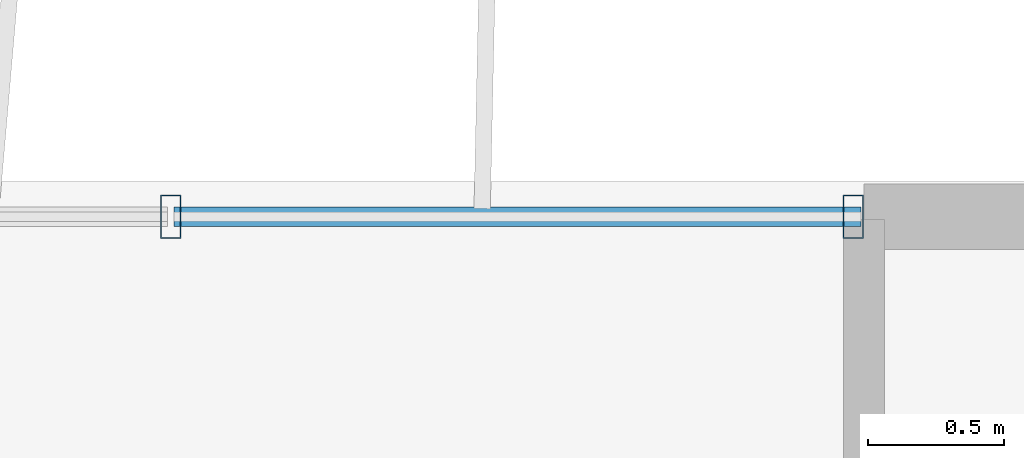
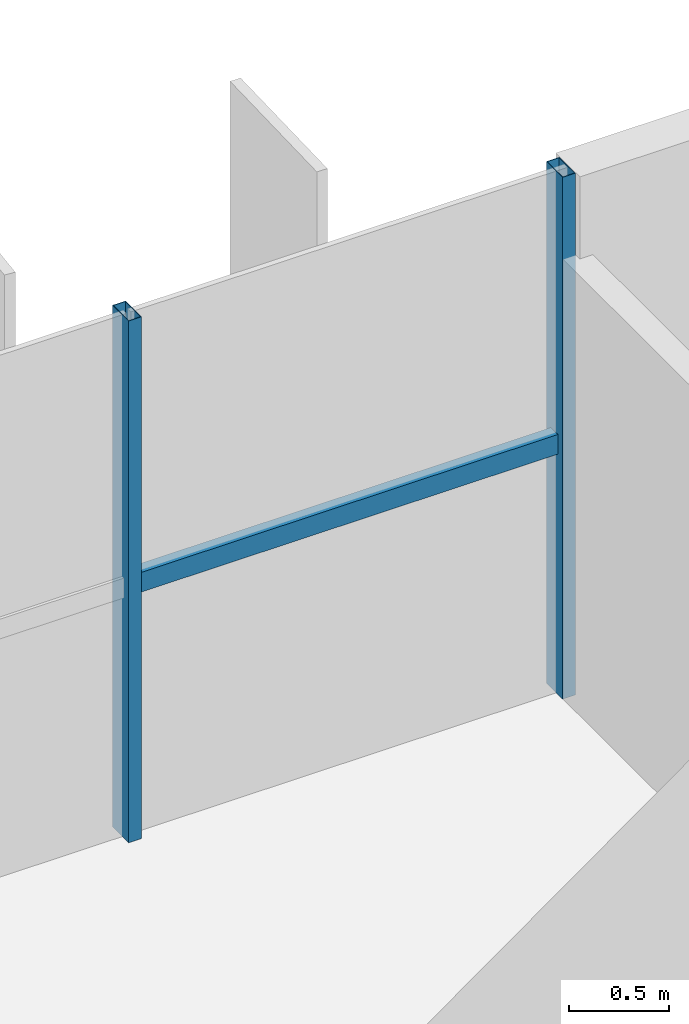
# One storey, part 18 of 26: 3 members, 1 element without a shape of its own.
"""IFC4 building model written with IfcOpenShell, lengths in metres."""

from ifc_helpers import new_model, si_unit, direction, frame, origin, origin_2d, place, context, subcontext, project, spatial, hollow_rectangle, extrude, source, transform, mapped, material, material_profile, profile_set, type_object, element, aggregate, save


model = new_model("IFC4")

# Units and contexts
model_context = context("Model", 3, precision=1e-05, world=origin(), true_north=direction((0.0, 1.0)))
body_context = subcontext(model_context, "Body", "Model", "MODEL_VIEW")
ifc_project = project(units=[si_unit("LENGTHUNIT", "METRE"), si_unit("AREAUNIT", "SQUARE_METRE"), si_unit("VOLUMEUNIT", "CUBIC_METRE"), si_unit("PLANEANGLEUNIT", "RADIAN"), si_unit("MASSUNIT", "GRAM", prefix="KILO")], contexts=[model_context])

# Site, building, storey
site_placement = place(None, origin())
site = spatial("IfcSite", under=ifc_project, at=site_placement, CompositionType="ELEMENT")
building_placement = place(site_placement, origin())
building = spatial("IfcBuilding", under=site, at=building_placement, Name="Trelvane Seafront Commons", CompositionType="ELEMENT")
storey_placement = place(building_placement, frame((0.0, 0.0, 291.89990234375)))
storey = spatial("IfcBuildingStorey", under=building, at=storey_placement, Name="L76", CompositionType="ELEMENT", Elevation=291.89990234375)

# Curtain wall, members
ifc_material = material(Name="Anodised pale-silver aluminium", Category="aluminium")
curtain_wall_type = type_object("IfcCurtainWallType", Name="ARCH-CW5-UPTOWER", PredefinedType="NOTDEFINED", material=ifc_material)
curtain_wall_placement = place(storey_placement, origin())
curtain_wall = element("IfcCurtainWall", 1, at=curtain_wall_placement, inside=storey, type_object=curtain_wall_type, Name="CW-L76-0120", PredefinedType="NOTDEFINED")
ifc_material_profile_1 = material_profile(ifc_material, hollow_rectangle(XDim=0.070068359375, YDim=0.1201171875, WallThickness=0.00390625, at=origin_2d()), Name="TRAN-70x120x4")
ifc_profile_set_1 = profile_set([ifc_material_profile_1], Name="Anodised pale-silver aluminium")
member_type_1 = type_object("IfcMemberType", Name="ARCH-CW-TRAN-120", PredefinedType="USERDEFINED", material=ifc_profile_set_1)
shared_shape_1 = source(origin(), body_context, "Body", "SweptSolid", [
    extrude(hollow_rectangle(XDim=0.070068359375, YDim=0.1201171875, WallThickness=0.00390625, at=origin_2d()), origin(), (0.0, 0.0, 1.0), 2.517333984375),
])
member_1_placement = place(storey_placement, frame((56.270751953125, 48.3701171875, 1.526123046875), z_axis=(1.0, 0.0, 0.0), x_axis=(0.0, 1.0, 0.0)))
member_1 = element("IfcMember", 2, at=member_1_placement, type_object=member_type_1, Name="CW-L76-0120-T16", ObjectType="TRANSOM", PredefinedType="USERDEFINED", context=body_context, shape_type="MappedRepresentation", body=[
    mapped(shared_shape_1, transform((0.0, 0.0, 0.0), x_axis=(1.0, 0.0, 0.0), y_axis=(0.0, 1.0, 0.0), z_axis=(0.0, 0.0, 1.0), scale=1.0)),
])
ifc_material_profile_2 = material_profile(ifc_material, hollow_rectangle(XDim=0.074951171875, YDim=0.159912109375, WallThickness=0.00390625, at=origin_2d()), Name="MULL-75x160x4")
ifc_profile_set_2 = profile_set([ifc_material_profile_2], Name="Anodised pale-silver aluminium")
member_type_2 = type_object("IfcMemberType", Name="ARCH-CW-MULL-160", PredefinedType="MULLION", material=ifc_profile_set_2)
shared_shape_2 = source(origin(), body_context, "Body", "SweptSolid", [
    extrude(hollow_rectangle(XDim=0.074951171875, YDim=0.159912109375, WallThickness=0.00390625, at=origin_2d()), origin(), (0.0, 0.0, 1.0), 3.18017578125),
])
member_2_placement = place(storey_placement, frame((56.2587890625, 48.3701171875, 0.0), z_axis=(0.0, 0.0, 1.0), x_axis=(1.0, 0.0, 0.0)))
member_2 = element("IfcMember", 3, at=member_2_placement, type_object=member_type_2, Name="CW-L76-0120-M16", PredefinedType="MULLION", context=body_context, shape_type="MappedRepresentation", body=[
    mapped(shared_shape_2, transform((0.0, 0.0, 0.0), x_axis=(1.0, 0.0, 0.0), y_axis=(0.0, 1.0, 0.0), z_axis=(0.0, 0.0, 1.0), scale=1.0)),
])
member_3_placement = place(storey_placement, frame((58.760009765625, 48.3701171875, 0.0), z_axis=(0.0, 0.0, 1.0), x_axis=(1.0, 0.0, 0.0)))
member_3 = element("IfcMember", 4, at=member_3_placement, type_object=member_type_2, Name="CW-L76-0120-M17", PredefinedType="MULLION", context=body_context, shape_type="MappedRepresentation", body=[
    mapped(shared_shape_2, transform((0.0, 0.0, 0.0), x_axis=(1.0, 0.0, 0.0), y_axis=(0.0, 1.0, 0.0), z_axis=(0.0, 0.0, 1.0), scale=1.0)),
])
aggregate(curtain_wall, [member_2, member_3, member_1])

save(model, "model.ifc")
